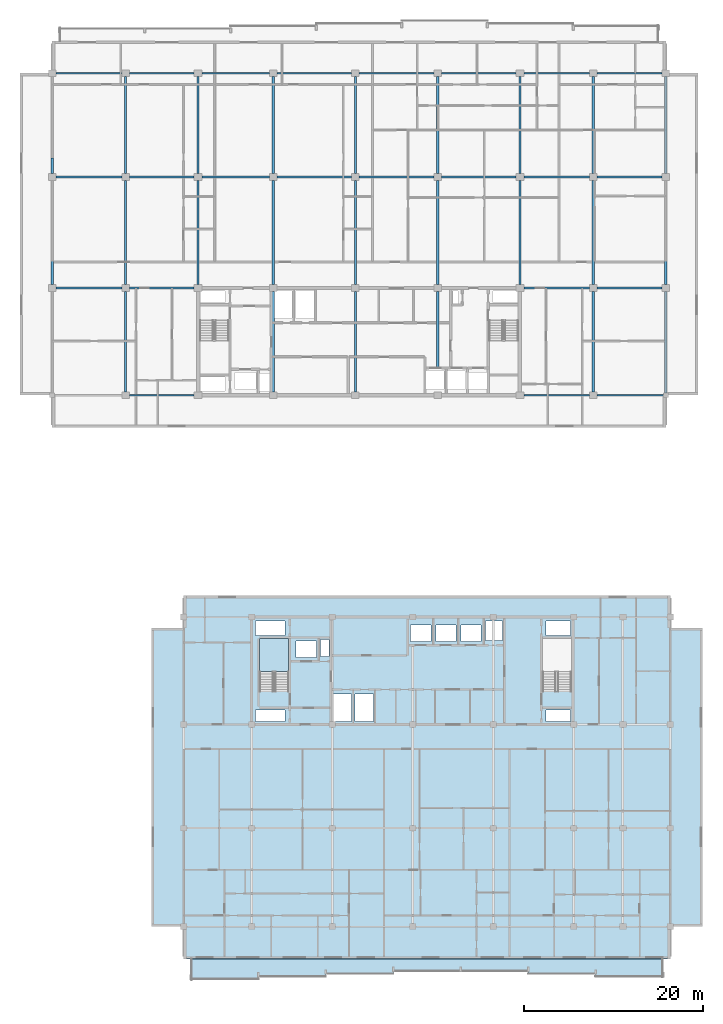
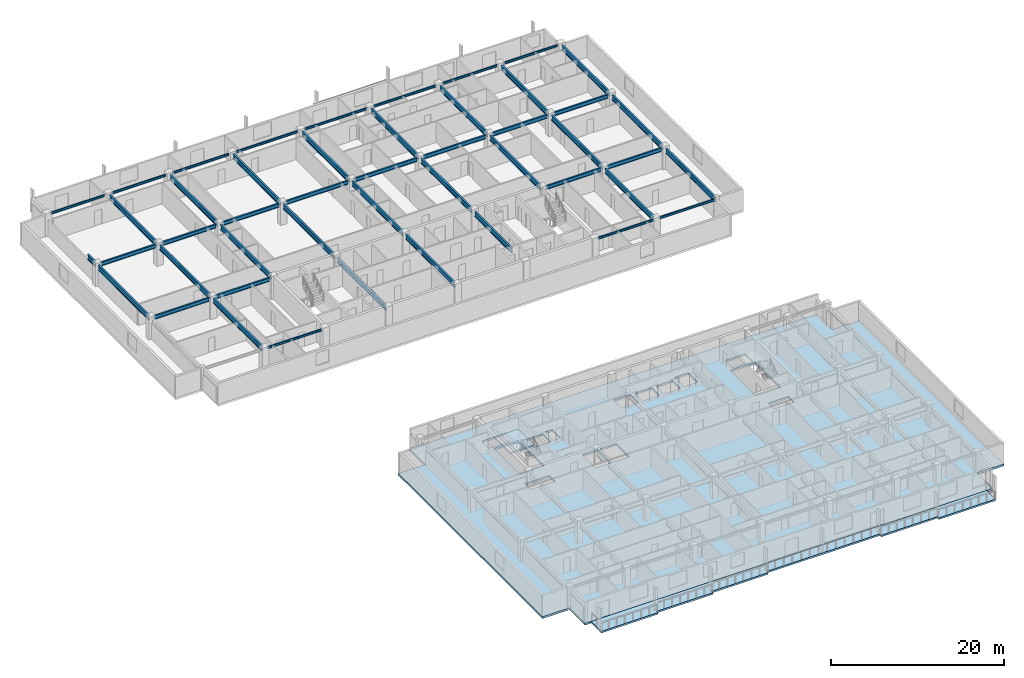
# One storey, part 2 of 22: 47 beams, 3 slabs, 1 element without a shape of its own.
"""IFC4 building model written with IfcOpenShell, lengths in metres."""

from ifc_helpers import new_model, si_unit, direction, frame, origin, origin_2d, place, context, subcontext, project, spatial, polyline, i_section, outline, extrude, material, layer, layer_set, material_profile, profile_set, type_object, element, aggregate, save


model = new_model("IFC4")

# Units and contexts
model_context = context("Model", 3, precision=1e-05, world=origin(), true_north=direction((0.0, 1.0)))
body_context = subcontext(model_context, "Body", "Model", "MODEL_VIEW")
ifc_project = project(units=[si_unit("LENGTHUNIT", "METRE"), si_unit("AREAUNIT", "SQUARE_METRE"), si_unit("VOLUMEUNIT", "CUBIC_METRE"), si_unit("PLANEANGLEUNIT", "RADIAN"), si_unit("MASSUNIT", "GRAM", prefix="KILO")], contexts=[model_context])

# Site, building, storey
site_placement = place(None, origin())
site = spatial("IfcSite", under=ifc_project, at=site_placement, CompositionType="ELEMENT")
building_placement = place(site_placement, origin())
building = spatial("IfcBuilding", under=site, at=building_placement, Name="Korimba Cascade Residences", CompositionType="ELEMENT")
storey_placement = place(building_placement, frame((0.0, 0.0, 197.85009765625)))
storey = spatial("IfcBuildingStorey", under=building, at=storey_placement, Name="L57", CompositionType="ELEMENT", Elevation=197.85009765625)

# Beams
ifc_material_1 = material(Name="Steel S355", Category="steel")
ifc_material_profile_1 = material_profile(ifc_material_1, i_section(OverallWidth=0.165771484375, OverallDepth=0.306640625, WebThickness=0.006591796875, FlangeThickness=0.01171875, FilletRadius=0.0087890625, at=origin_2d()), Name="Steel S355")
ifc_profile_set_1 = profile_set([ifc_material_profile_1], Name="Steel S355")
beam_type_1 = type_object("IfcBeamType", Name="BM-STL-UB305", PredefinedType="SPANDREL", material=ifc_profile_set_1)
beam_1_placement = place(storey_placement, frame((68.425048828125, 55.199951171875, 2.816650390625), z_axis=(1.0, 0.0, 0.0), x_axis=(0.0, 1.0, 0.0)))
element("IfcBeam", 1, at=beam_1_placement, inside=storey, type_object=beam_type_1, Name="L57 T1 E-W Girder Y1 Bay 2", PredefinedType="SPANDREL", context=body_context, shape_type="SweptSolid", body=[
    extrude(i_section(OverallWidth=0.165771484375, OverallDepth=0.306640625, WebThickness=0.006591796875, FlangeThickness=0.01171875, FilletRadius=0.0087890625, at=origin_2d()), origin(), (0.0, 0.0, 1.0), 7.25),
])
beam_2_placement = place(storey_placement, frame((112.52490234375, 55.199951171875, 2.816650390625), z_axis=(1.0, 0.0, 0.0), x_axis=(0.0, 1.0, 0.0)))
element("IfcBeam", 2, at=beam_2_placement, inside=storey, type_object=beam_type_1, Name="L57 T1 E-W Girder Y1 Bay 7", PredefinedType="SPANDREL", context=body_context, shape_type="SweptSolid", body=[
    extrude(i_section(OverallWidth=0.165771484375, OverallDepth=0.306640625, WebThickness=0.006591796875, FlangeThickness=0.01171875, FilletRadius=0.0087890625, at=origin_2d()), origin(), (0.0, 0.0, 1.0), 7.35009765625),
])
beam_3_placement = place(storey_placement, frame((120.72509765625, 55.199951171875, 2.816650390625), z_axis=(1.0, 0.0, 0.0), x_axis=(0.0, 1.0, 0.0)))
element("IfcBeam", 3, at=beam_3_placement, inside=storey, type_object=beam_type_1, Name="L57 T1 E-W Girder Y1 Bay 8", PredefinedType="SPANDREL", context=body_context, shape_type="SweptSolid", body=[
    extrude(i_section(OverallWidth=0.165771484375, OverallDepth=0.306640625, WebThickness=0.006591796875, FlangeThickness=0.01171875, FilletRadius=0.0087890625, at=origin_2d()), origin(), (0.0, 0.0, 1.0), 7.39990234375),
])
beam_4_placement = place(storey_placement, frame((60.22509765625, 91.199951171875, 2.816650390625), z_axis=(1.0, 0.0, 0.0), x_axis=(0.0, 1.0, 0.0)))
element("IfcBeam", 4, at=beam_4_placement, inside=storey, type_object=beam_type_1, Name="L57 T1 E-W Girder Y4 Bay 1", PredefinedType="SPANDREL", context=body_context, shape_type="SweptSolid", body=[
    extrude(i_section(OverallWidth=0.165771484375, OverallDepth=0.306640625, WebThickness=0.006591796875, FlangeThickness=0.01171875, FilletRadius=0.0087890625, at=origin_2d()), origin(), (0.0, 0.0, 1.0), 7.349853515625),
])
beam_5_placement = place(storey_placement, frame((68.425048828125, 91.199951171875, 2.816650390625), z_axis=(1.0, 0.0, 0.0), x_axis=(0.0, 1.0, 0.0)))
element("IfcBeam", 5, at=beam_5_placement, inside=storey, type_object=beam_type_1, Name="L57 T1 E-W Girder Y4 Bay 2", PredefinedType="SPANDREL", context=body_context, shape_type="SweptSolid", body=[
    extrude(i_section(OverallWidth=0.165771484375, OverallDepth=0.306640625, WebThickness=0.006591796875, FlangeThickness=0.01171875, FilletRadius=0.0087890625, at=origin_2d()), origin(), (0.0, 0.0, 1.0), 7.25),
])
beam_6_placement = place(storey_placement, frame((76.52490234375, 91.199951171875, 2.816650390625), z_axis=(1.0, 0.0, 0.0), x_axis=(0.0, 1.0, 0.0)))
element("IfcBeam", 6, at=beam_6_placement, inside=storey, type_object=beam_type_1, Name="L57 T1 E-W Girder Y4 Bay 3", PredefinedType="SPANDREL", context=body_context, shape_type="SweptSolid", body=[
    extrude(i_section(OverallWidth=0.165771484375, OverallDepth=0.306640625, WebThickness=0.006591796875, FlangeThickness=0.01171875, FilletRadius=0.0087890625, at=origin_2d()), origin(), (0.0, 0.0, 1.0), 7.550048828125),
])
beam_7_placement = place(storey_placement, frame((84.925048828125, 91.199951171875, 2.816650390625), z_axis=(1.0, 0.0, 0.0), x_axis=(0.0, 1.0, 0.0)))
element("IfcBeam", 7, at=beam_7_placement, inside=storey, type_object=beam_type_1, Name="L57 T1 E-W Girder Y4 Bay 4", PredefinedType="SPANDREL", context=body_context, shape_type="SweptSolid", body=[
    extrude(i_section(OverallWidth=0.165771484375, OverallDepth=0.306640625, WebThickness=0.006591796875, FlangeThickness=0.01171875, FilletRadius=0.0087890625, at=origin_2d()), origin(), (0.0, 0.0, 1.0), 8.349853515625),
])
for number, where, z_axis, x_axis, name in (
    (8, (94.125, 91.199951171875, 2.816650390625), (1.0, 0.0, 0.0), (0.0, 1.0, 0.0), "L57 T1 E-W Girder Y4 Bay 5"),
    (9, (103.324951171875, 91.199951171875, 2.816650390625), (1.0, 0.0, 0.0), (0.0, 1.0, 0.0), "L57 T1 E-W Girder Y4 Bay 6"),
):
    element("IfcBeam", number, at=place(storey_placement, frame(where, z_axis=z_axis, x_axis=x_axis)), inside=storey, type_object=beam_type_1, Name=name, PredefinedType="SPANDREL", context=body_context, shape_type="SweptSolid", body=[
        extrude(i_section(OverallWidth=0.165771484375, OverallDepth=0.306640625, WebThickness=0.006591796875, FlangeThickness=0.01171875, FilletRadius=0.0087890625, at=origin_2d()), origin(), (0.0, 0.0, 1.0), 8.35009765625),
    ])
beam_8_placement = place(storey_placement, frame((112.52490234375, 91.199951171875, 2.816650390625), z_axis=(1.0, 0.0, 0.0), x_axis=(0.0, 1.0, 0.0)))
element("IfcBeam", 10, at=beam_8_placement, inside=storey, type_object=beam_type_1, Name="L57 T1 E-W Girder Y4 Bay 7", PredefinedType="SPANDREL", context=body_context, shape_type="SweptSolid", body=[
    extrude(i_section(OverallWidth=0.165771484375, OverallDepth=0.306640625, WebThickness=0.006591796875, FlangeThickness=0.01171875, FilletRadius=0.0087890625, at=origin_2d()), origin(), (0.0, 0.0, 1.0), 7.35009765625),
])
beam_9_placement = place(storey_placement, frame((120.72509765625, 91.199951171875, 2.816650390625), z_axis=(1.0, 0.0, 0.0), x_axis=(0.0, 1.0, 0.0)))
element("IfcBeam", 11, at=beam_9_placement, inside=storey, type_object=beam_type_1, Name="L57 T1 E-W Girder Y4 Bay 8", PredefinedType="SPANDREL", context=body_context, shape_type="SweptSolid", body=[
    extrude(i_section(OverallWidth=0.165771484375, OverallDepth=0.306640625, WebThickness=0.006591796875, FlangeThickness=0.01171875, FilletRadius=0.0087890625, at=origin_2d()), origin(), (0.0, 0.0, 1.0), 7.25),
])
ifc_material_profile_2 = material_profile(ifc_material_1, i_section(OverallWidth=0.2099609375, OverallDepth=0.53662109375, WebThickness=0.0107421875, FlangeThickness=0.017333984375, FilletRadius=0.0126953125, at=origin_2d()), Name="Steel S355")
ifc_profile_set_2 = profile_set([ifc_material_profile_2], Name="Steel S355")
beam_type_2 = type_object("IfcBeamType", Name="BM-STL-UB533", PredefinedType="BEAM", material=ifc_profile_set_2)
beam_10_placement = place(storey_placement, frame((60.22509765625, 67.199951171875, 2.701416015625), z_axis=(1.0, 0.0, 0.0), x_axis=(0.0, 1.0, 0.0)))
element("IfcBeam", 12, at=beam_10_placement, inside=storey, type_object=beam_type_2, Name="L57 T1 E-W Girder Y2 Bay 1", PredefinedType="BEAM", context=body_context, shape_type="SweptSolid", body=[
    extrude(i_section(OverallWidth=0.2099609375, OverallDepth=0.53662109375, WebThickness=0.0107421875, FlangeThickness=0.017333984375, FilletRadius=0.0126953125, at=origin_2d()), origin(), (0.0, 0.0, 1.0), 7.349853515625),
])
beam_11_placement = place(storey_placement, frame((68.425048828125, 67.199951171875, 2.701416015625), z_axis=(1.0, 0.0, 0.0), x_axis=(0.0, 1.0, 0.0)))
element("IfcBeam", 13, at=beam_11_placement, inside=storey, type_object=beam_type_2, Name="L57 T1 E-W Girder Y2 Bay 2", PredefinedType="BEAM", context=body_context, shape_type="SweptSolid", body=[
    extrude(i_section(OverallWidth=0.2099609375, OverallDepth=0.53662109375, WebThickness=0.0107421875, FlangeThickness=0.017333984375, FilletRadius=0.0126953125, at=origin_2d()), origin(), (0.0, 0.0, 1.0), 7.25),
])
beam_12_placement = place(storey_placement, frame((112.52490234375, 67.199951171875, 2.701416015625), z_axis=(1.0, 0.0, 0.0), x_axis=(0.0, 1.0, 0.0)))
element("IfcBeam", 14, at=beam_12_placement, inside=storey, type_object=beam_type_2, Name="L57 T1 E-W Girder Y2 Bay 7", PredefinedType="BEAM", context=body_context, shape_type="SweptSolid", body=[
    extrude(i_section(OverallWidth=0.2099609375, OverallDepth=0.53662109375, WebThickness=0.0107421875, FlangeThickness=0.017333984375, FilletRadius=0.0126953125, at=origin_2d()), origin(), (0.0, 0.0, 1.0), 7.35009765625),
])
beam_13_placement = place(storey_placement, frame((120.72509765625, 67.199951171875, 2.701416015625), z_axis=(1.0, 0.0, 0.0), x_axis=(0.0, 1.0, 0.0)))
element("IfcBeam", 15, at=beam_13_placement, inside=storey, type_object=beam_type_2, Name="L57 T1 E-W Girder Y2 Bay 8", PredefinedType="BEAM", context=body_context, shape_type="SweptSolid", body=[
    extrude(i_section(OverallWidth=0.2099609375, OverallDepth=0.53662109375, WebThickness=0.0107421875, FlangeThickness=0.017333984375, FilletRadius=0.0126953125, at=origin_2d()), origin(), (0.0, 0.0, 1.0), 7.25),
])
beam_14_placement = place(storey_placement, frame((60.22509765625, 79.60009765625, 2.701416015625), z_axis=(1.0, 0.0, 0.0), x_axis=(0.0, 1.0, 0.0)))
element("IfcBeam", 16, at=beam_14_placement, inside=storey, type_object=beam_type_2, Name="L57 T1 E-W Girder Y3 Bay 1", PredefinedType="BEAM", context=body_context, shape_type="SweptSolid", body=[
    extrude(i_section(OverallWidth=0.2099609375, OverallDepth=0.53662109375, WebThickness=0.0107421875, FlangeThickness=0.017333984375, FilletRadius=0.0126953125, at=origin_2d()), origin(), (0.0, 0.0, 1.0), 7.349853515625),
])
beam_15_placement = place(storey_placement, frame((68.425048828125, 79.60009765625, 2.701416015625), z_axis=(1.0, 0.0, 0.0), x_axis=(0.0, 1.0, 0.0)))
element("IfcBeam", 17, at=beam_15_placement, inside=storey, type_object=beam_type_2, Name="L57 T1 E-W Girder Y3 Bay 2", PredefinedType="BEAM", context=body_context, shape_type="SweptSolid", body=[
    extrude(i_section(OverallWidth=0.2099609375, OverallDepth=0.53662109375, WebThickness=0.0107421875, FlangeThickness=0.017333984375, FilletRadius=0.0126953125, at=origin_2d()), origin(), (0.0, 0.0, 1.0), 7.25),
])
beam_16_placement = place(storey_placement, frame((76.52490234375, 79.60009765625, 2.701416015625), z_axis=(1.0, 0.0, 0.0), x_axis=(0.0, 1.0, 0.0)))
element("IfcBeam", 18, at=beam_16_placement, inside=storey, type_object=beam_type_2, Name="L57 T1 E-W Girder Y3 Bay 3", PredefinedType="BEAM", context=body_context, shape_type="SweptSolid", body=[
    extrude(i_section(OverallWidth=0.2099609375, OverallDepth=0.53662109375, WebThickness=0.0107421875, FlangeThickness=0.017333984375, FilletRadius=0.0126953125, at=origin_2d()), origin(), (0.0, 0.0, 1.0), 7.550048828125),
])
beam_17_placement = place(storey_placement, frame((84.925048828125, 79.60009765625, 2.701416015625), z_axis=(1.0, 0.0, 0.0), x_axis=(0.0, 1.0, 0.0)))
element("IfcBeam", 19, at=beam_17_placement, inside=storey, type_object=beam_type_2, Name="L57 T1 E-W Girder Y3 Bay 4", PredefinedType="BEAM", context=body_context, shape_type="SweptSolid", body=[
    extrude(i_section(OverallWidth=0.2099609375, OverallDepth=0.53662109375, WebThickness=0.0107421875, FlangeThickness=0.017333984375, FilletRadius=0.0126953125, at=origin_2d()), origin(), (0.0, 0.0, 1.0), 8.349853515625),
])
for number, where, z_axis, x_axis, name in (
    (20, (94.125, 79.60009765625, 2.701416015625), (1.0, 0.0, 0.0), (0.0, 1.0, 0.0), "L57 T1 E-W Girder Y3 Bay 5"),
    (21, (103.324951171875, 79.60009765625, 2.701416015625), (1.0, 0.0, 0.0), (0.0, 1.0, 0.0), "L57 T1 E-W Girder Y3 Bay 6"),
):
    element("IfcBeam", number, at=place(storey_placement, frame(where, z_axis=z_axis, x_axis=x_axis)), inside=storey, type_object=beam_type_2, Name=name, PredefinedType="BEAM", context=body_context, shape_type="SweptSolid", body=[
        extrude(i_section(OverallWidth=0.2099609375, OverallDepth=0.53662109375, WebThickness=0.0107421875, FlangeThickness=0.017333984375, FilletRadius=0.0126953125, at=origin_2d()), origin(), (0.0, 0.0, 1.0), 8.35009765625),
    ])
beam_18_placement = place(storey_placement, frame((112.52490234375, 79.60009765625, 2.701416015625), z_axis=(1.0, 0.0, 0.0), x_axis=(0.0, 1.0, 0.0)))
element("IfcBeam", 22, at=beam_18_placement, inside=storey, type_object=beam_type_2, Name="L57 T1 E-W Girder Y3 Bay 7", PredefinedType="BEAM", context=body_context, shape_type="SweptSolid", body=[
    extrude(i_section(OverallWidth=0.2099609375, OverallDepth=0.53662109375, WebThickness=0.0107421875, FlangeThickness=0.017333984375, FilletRadius=0.0126953125, at=origin_2d()), origin(), (0.0, 0.0, 1.0), 7.35009765625),
])
beam_19_placement = place(storey_placement, frame((120.72509765625, 79.60009765625, 2.701416015625), z_axis=(1.0, 0.0, 0.0), x_axis=(0.0, 1.0, 0.0)))
element("IfcBeam", 23, at=beam_19_placement, inside=storey, type_object=beam_type_2, Name="L57 T1 E-W Girder Y3 Bay 8", PredefinedType="BEAM", context=body_context, shape_type="SweptSolid", body=[
    extrude(i_section(OverallWidth=0.2099609375, OverallDepth=0.53662109375, WebThickness=0.0107421875, FlangeThickness=0.017333984375, FilletRadius=0.0126953125, at=origin_2d()), origin(), (0.0, 0.0, 1.0), 7.25),
])
ifc_material_profile_3 = material_profile(ifc_material_1, i_section(OverallWidth=0.255859375, OverallDepth=0.69287109375, WebThickness=0.014404296875, FlangeThickness=0.023681640625, FilletRadius=0.01513671875, at=origin_2d()), Name="Steel S355")
ifc_profile_set_3 = profile_set([ifc_material_profile_3], Name="Steel S355")
beam_type_3 = type_object("IfcBeamType", Name="BM-STL-UB686", PredefinedType="BEAM", material=ifc_profile_set_3)
beam_20_placement = place(storey_placement, frame((59.800048828125, 67.574951171875, 2.623291015625), z_axis=(0.0, 1.0, 0.0), x_axis=(-1.0, 0.0, 0.0)))
element("IfcBeam", 24, at=beam_20_placement, inside=storey, type_object=beam_type_3, Name="L57 T1 N-S Girder X1 Seg 2", PredefinedType="BEAM", context=body_context, shape_type="SweptSolid", body=[
    extrude(i_section(OverallWidth=0.255859375, OverallDepth=0.69287109375, WebThickness=0.014404296875, FlangeThickness=0.023681640625, FilletRadius=0.01513671875, at=origin_2d()), origin(), (0.0, 0.0, 1.0), 11.650146484375),
])
beam_21_placement = place(storey_placement, frame((59.800048828125, 79.97509765625, 2.623291015625), z_axis=(0.0, 1.0, 0.0), x_axis=(-1.0, 0.0, 0.0)))
element("IfcBeam", 25, at=beam_21_placement, inside=storey, type_object=beam_type_3, Name="L57 T1 N-S Girder X1 Seg 3", PredefinedType="BEAM", context=body_context, shape_type="SweptSolid", body=[
    extrude(i_section(OverallWidth=0.255859375, OverallDepth=0.69287109375, WebThickness=0.014404296875, FlangeThickness=0.023681640625, FilletRadius=0.01513671875, at=origin_2d()), origin(), (0.0, 0.0, 1.0), 1.724853515625),
])
beam_22_placement = place(storey_placement, frame((68.0, 55.574951171875, 2.623291015625), z_axis=(0.0, 1.0, 0.0), x_axis=(-1.0, 0.0, 0.0)))
element("IfcBeam", 26, at=beam_22_placement, inside=storey, type_object=beam_type_3, Name="L57 T1 N-S Girder X2 Seg 1", PredefinedType="BEAM", context=body_context, shape_type="SweptSolid", body=[
    extrude(i_section(OverallWidth=0.255859375, OverallDepth=0.69287109375, WebThickness=0.014404296875, FlangeThickness=0.023681640625, FilletRadius=0.01513671875, at=origin_2d()), origin(), (0.0, 0.0, 1.0), 11.25),
])
beam_23_placement = place(storey_placement, frame((68.0, 67.574951171875, 2.623291015625), z_axis=(0.0, 1.0, 0.0), x_axis=(-1.0, 0.0, 0.0)))
element("IfcBeam", 27, at=beam_23_placement, inside=storey, type_object=beam_type_3, Name="L57 T1 N-S Girder X2 Seg 2", PredefinedType="BEAM", context=body_context, shape_type="SweptSolid", body=[
    extrude(i_section(OverallWidth=0.255859375, OverallDepth=0.69287109375, WebThickness=0.014404296875, FlangeThickness=0.023681640625, FilletRadius=0.01513671875, at=origin_2d()), origin(), (0.0, 0.0, 1.0), 11.650146484375),
])
beam_24_placement = place(storey_placement, frame((68.0, 79.97509765625, 2.623291015625), z_axis=(0.0, 1.0, 0.0), x_axis=(-1.0, 0.0, 0.0)))
element("IfcBeam", 28, at=beam_24_placement, inside=storey, type_object=beam_type_3, Name="L57 T1 N-S Girder X2 Seg 3", PredefinedType="BEAM", context=body_context, shape_type="SweptSolid", body=[
    extrude(i_section(OverallWidth=0.255859375, OverallDepth=0.69287109375, WebThickness=0.014404296875, FlangeThickness=0.023681640625, FilletRadius=0.01513671875, at=origin_2d()), origin(), (0.0, 0.0, 1.0), 10.849853515625),
])
beam_25_placement = place(storey_placement, frame((76.10009765625, 67.574951171875, 2.623291015625), z_axis=(0.0, 1.0, 0.0), x_axis=(-1.0, 0.0, 0.0)))
element("IfcBeam", 29, at=beam_25_placement, inside=storey, type_object=beam_type_3, Name="L57 T1 N-S Girder X3 Seg 2", PredefinedType="BEAM", context=body_context, shape_type="SweptSolid", body=[
    extrude(i_section(OverallWidth=0.255859375, OverallDepth=0.69287109375, WebThickness=0.014404296875, FlangeThickness=0.023681640625, FilletRadius=0.01513671875, at=origin_2d()), origin(), (0.0, 0.0, 1.0), 11.650146484375),
])
beam_26_placement = place(storey_placement, frame((76.10009765625, 79.97509765625, 2.623291015625), z_axis=(0.0, 1.0, 0.0), x_axis=(-1.0, 0.0, 0.0)))
element("IfcBeam", 30, at=beam_26_placement, inside=storey, type_object=beam_type_3, Name="L57 T1 N-S Girder X3 Seg 3", PredefinedType="BEAM", context=body_context, shape_type="SweptSolid", body=[
    extrude(i_section(OverallWidth=0.255859375, OverallDepth=0.69287109375, WebThickness=0.014404296875, FlangeThickness=0.023681640625, FilletRadius=0.01513671875, at=origin_2d()), origin(), (0.0, 0.0, 1.0), 10.849853515625),
])
beam_27_placement = place(storey_placement, frame((84.5, 55.574951171875, 2.623291015625), z_axis=(0.0, 1.0, 0.0), x_axis=(-1.0, 0.0, 0.0)))
element("IfcBeam", 31, at=beam_27_placement, inside=storey, type_object=beam_type_3, Name="L57 T1 N-S Girder X4 Seg 1", PredefinedType="BEAM", context=body_context, shape_type="SweptSolid", body=[
    extrude(i_section(OverallWidth=0.255859375, OverallDepth=0.69287109375, WebThickness=0.014404296875, FlangeThickness=0.023681640625, FilletRadius=0.01513671875, at=origin_2d()), origin(), (0.0, 0.0, 1.0), 11.25),
])
beam_28_placement = place(storey_placement, frame((84.5, 67.574951171875, 2.623291015625), z_axis=(0.0, 1.0, 0.0), x_axis=(-1.0, 0.0, 0.0)))
element("IfcBeam", 32, at=beam_28_placement, inside=storey, type_object=beam_type_3, Name="L57 T1 N-S Girder X4 Seg 2", PredefinedType="BEAM", context=body_context, shape_type="SweptSolid", body=[
    extrude(i_section(OverallWidth=0.255859375, OverallDepth=0.69287109375, WebThickness=0.014404296875, FlangeThickness=0.023681640625, FilletRadius=0.01513671875, at=origin_2d()), origin(), (0.0, 0.0, 1.0), 11.650146484375),
])
beam_29_placement = place(storey_placement, frame((84.5, 79.97509765625, 2.623291015625), z_axis=(0.0, 1.0, 0.0), x_axis=(-1.0, 0.0, 0.0)))
element("IfcBeam", 33, at=beam_29_placement, inside=storey, type_object=beam_type_3, Name="L57 T1 N-S Girder X4 Seg 3", PredefinedType="BEAM", context=body_context, shape_type="SweptSolid", body=[
    extrude(i_section(OverallWidth=0.255859375, OverallDepth=0.69287109375, WebThickness=0.014404296875, FlangeThickness=0.023681640625, FilletRadius=0.01513671875, at=origin_2d()), origin(), (0.0, 0.0, 1.0), 10.849853515625),
])
beam_30_placement = place(storey_placement, frame((93.699951171875, 55.574951171875, 2.623291015625), z_axis=(0.0, 1.0, 0.0), x_axis=(-1.0, 0.0, 0.0)))
element("IfcBeam", 34, at=beam_30_placement, inside=storey, type_object=beam_type_3, Name="L57 T1 N-S Girder X5 Seg 1", PredefinedType="BEAM", context=body_context, shape_type="SweptSolid", body=[
    extrude(i_section(OverallWidth=0.255859375, OverallDepth=0.69287109375, WebThickness=0.014404296875, FlangeThickness=0.023681640625, FilletRadius=0.01513671875, at=origin_2d()), origin(), (0.0, 0.0, 1.0), 11.25),
])
beam_31_placement = place(storey_placement, frame((93.699951171875, 67.574951171875, 2.623291015625), z_axis=(0.0, 1.0, 0.0), x_axis=(-1.0, 0.0, 0.0)))
element("IfcBeam", 35, at=beam_31_placement, inside=storey, type_object=beam_type_3, Name="L57 T1 N-S Girder X5 Seg 2", PredefinedType="BEAM", context=body_context, shape_type="SweptSolid", body=[
    extrude(i_section(OverallWidth=0.255859375, OverallDepth=0.69287109375, WebThickness=0.014404296875, FlangeThickness=0.023681640625, FilletRadius=0.01513671875, at=origin_2d()), origin(), (0.0, 0.0, 1.0), 11.650146484375),
])
beam_32_placement = place(storey_placement, frame((93.699951171875, 79.97509765625, 2.623291015625), z_axis=(0.0, 1.0, 0.0), x_axis=(-1.0, 0.0, 0.0)))
element("IfcBeam", 36, at=beam_32_placement, inside=storey, type_object=beam_type_3, Name="L57 T1 N-S Girder X5 Seg 3", PredefinedType="BEAM", context=body_context, shape_type="SweptSolid", body=[
    extrude(i_section(OverallWidth=0.255859375, OverallDepth=0.69287109375, WebThickness=0.014404296875, FlangeThickness=0.023681640625, FilletRadius=0.01513671875, at=origin_2d()), origin(), (0.0, 0.0, 1.0), 10.849853515625),
])
beam_33_placement = place(storey_placement, frame((102.89990234375, 58.260009765625, 2.623291015625), z_axis=(0.0, 1.0, 0.0), x_axis=(-1.0, 0.0, 0.0)))
element("IfcBeam", 37, at=beam_33_placement, inside=storey, type_object=beam_type_3, Name="L57 T1 N-S Girder X6 Seg 1", PredefinedType="BEAM", context=body_context, shape_type="SweptSolid", body=[
    extrude(i_section(OverallWidth=0.255859375, OverallDepth=0.69287109375, WebThickness=0.014404296875, FlangeThickness=0.023681640625, FilletRadius=0.01513671875, at=origin_2d()), origin(), (0.0, 0.0, 1.0), 8.56494140625),
])
beam_34_placement = place(storey_placement, frame((102.89990234375, 67.574951171875, 2.623291015625), z_axis=(0.0, 1.0, 0.0), x_axis=(-1.0, 0.0, 0.0)))
element("IfcBeam", 38, at=beam_34_placement, inside=storey, type_object=beam_type_3, Name="L57 T1 N-S Girder X6 Seg 2", PredefinedType="BEAM", context=body_context, shape_type="SweptSolid", body=[
    extrude(i_section(OverallWidth=0.255859375, OverallDepth=0.69287109375, WebThickness=0.014404296875, FlangeThickness=0.023681640625, FilletRadius=0.01513671875, at=origin_2d()), origin(), (0.0, 0.0, 1.0), 11.650146484375),
])
beam_35_placement = place(storey_placement, frame((102.89990234375, 79.97509765625, 2.623291015625), z_axis=(0.0, 1.0, 0.0), x_axis=(-1.0, 0.0, 0.0)))
element("IfcBeam", 39, at=beam_35_placement, inside=storey, type_object=beam_type_3, Name="L57 T1 N-S Girder X6 Seg 3", PredefinedType="BEAM", context=body_context, shape_type="SweptSolid", body=[
    extrude(i_section(OverallWidth=0.255859375, OverallDepth=0.69287109375, WebThickness=0.014404296875, FlangeThickness=0.023681640625, FilletRadius=0.01513671875, at=origin_2d()), origin(), (0.0, 0.0, 1.0), 10.849853515625),
])
beam_36_placement = place(storey_placement, frame((112.10009765625, 67.574951171875, 2.623291015625), z_axis=(0.0, 1.0, 0.0), x_axis=(-1.0, 0.0, 0.0)))
element("IfcBeam", 40, at=beam_36_placement, inside=storey, type_object=beam_type_3, Name="L57 T1 N-S Girder X7 Seg 2", PredefinedType="BEAM", context=body_context, shape_type="SweptSolid", body=[
    extrude(i_section(OverallWidth=0.255859375, OverallDepth=0.69287109375, WebThickness=0.014404296875, FlangeThickness=0.023681640625, FilletRadius=0.01513671875, at=origin_2d()), origin(), (0.0, 0.0, 1.0), 11.650146484375),
])
beam_37_placement = place(storey_placement, frame((112.10009765625, 79.97509765625, 2.623291015625), z_axis=(0.0, 1.0, 0.0), x_axis=(-1.0, 0.0, 0.0)))
element("IfcBeam", 41, at=beam_37_placement, inside=storey, type_object=beam_type_3, Name="L57 T1 N-S Girder X7 Seg 3", PredefinedType="BEAM", context=body_context, shape_type="SweptSolid", body=[
    extrude(i_section(OverallWidth=0.255859375, OverallDepth=0.69287109375, WebThickness=0.014404296875, FlangeThickness=0.023681640625, FilletRadius=0.01513671875, at=origin_2d()), origin(), (0.0, 0.0, 1.0), 10.849853515625),
])
beam_38_placement = place(storey_placement, frame((120.300048828125, 55.574951171875, 2.623291015625), z_axis=(0.0, 1.0, 0.0), x_axis=(-1.0, 0.0, 0.0)))
element("IfcBeam", 42, at=beam_38_placement, inside=storey, type_object=beam_type_3, Name="L57 T1 N-S Girder X8 Seg 1", PredefinedType="BEAM", context=body_context, shape_type="SweptSolid", body=[
    extrude(i_section(OverallWidth=0.255859375, OverallDepth=0.69287109375, WebThickness=0.014404296875, FlangeThickness=0.023681640625, FilletRadius=0.01513671875, at=origin_2d()), origin(), (0.0, 0.0, 1.0), 11.25),
])
beam_39_placement = place(storey_placement, frame((120.300048828125, 67.574951171875, 2.623291015625), z_axis=(0.0, 1.0, 0.0), x_axis=(-1.0, 0.0, 0.0)))
element("IfcBeam", 43, at=beam_39_placement, inside=storey, type_object=beam_type_3, Name="L57 T1 N-S Girder X8 Seg 2", PredefinedType="BEAM", context=body_context, shape_type="SweptSolid", body=[
    extrude(i_section(OverallWidth=0.255859375, OverallDepth=0.69287109375, WebThickness=0.014404296875, FlangeThickness=0.023681640625, FilletRadius=0.01513671875, at=origin_2d()), origin(), (0.0, 0.0, 1.0), 11.650146484375),
])
beam_40_placement = place(storey_placement, frame((120.300048828125, 79.97509765625, 2.623291015625), z_axis=(0.0, 1.0, 0.0), x_axis=(-1.0, 0.0, 0.0)))
element("IfcBeam", 44, at=beam_40_placement, inside=storey, type_object=beam_type_3, Name="L57 T1 N-S Girder X8 Seg 3", PredefinedType="BEAM", context=body_context, shape_type="SweptSolid", body=[
    extrude(i_section(OverallWidth=0.255859375, OverallDepth=0.69287109375, WebThickness=0.014404296875, FlangeThickness=0.023681640625, FilletRadius=0.01513671875, at=origin_2d()), origin(), (0.0, 0.0, 1.0), 10.849853515625),
])
beam_41_placement = place(storey_placement, frame((128.39990234375, 55.425048828125, 2.623291015625), z_axis=(0.0, 1.0, 0.0), x_axis=(-1.0, 0.0, 0.0)))
element("IfcBeam", 45, at=beam_41_placement, inside=storey, type_object=beam_type_3, Name="L57 T1 N-S Girder X9 Seg 1", PredefinedType="BEAM", context=body_context, shape_type="SweptSolid", body=[
    extrude(i_section(OverallWidth=0.255859375, OverallDepth=0.69287109375, WebThickness=0.014404296875, FlangeThickness=0.023681640625, FilletRadius=0.01513671875, at=origin_2d()), origin(), (0.0, 0.0, 1.0), 11.39990234375),
])
beam_42_placement = place(storey_placement, frame((128.39990234375, 67.574951171875, 2.623291015625), z_axis=(0.0, 1.0, 0.0), x_axis=(-1.0, 0.0, 0.0)))
element("IfcBeam", 46, at=beam_42_placement, inside=storey, type_object=beam_type_3, Name="L57 T1 N-S Girder X9 Seg 2", PredefinedType="BEAM", context=body_context, shape_type="SweptSolid", body=[
    extrude(i_section(OverallWidth=0.255859375, OverallDepth=0.69287109375, WebThickness=0.014404296875, FlangeThickness=0.023681640625, FilletRadius=0.01513671875, at=origin_2d()), origin(), (0.0, 0.0, 1.0), 11.650146484375),
])
beam_43_placement = place(storey_placement, frame((128.39990234375, 79.97509765625, 2.623291015625), z_axis=(0.0, 1.0, 0.0), x_axis=(-1.0, 0.0, 0.0)))
element("IfcBeam", 47, at=beam_43_placement, inside=storey, type_object=beam_type_3, Name="L57 T1 N-S Girder X9 Seg 3", PredefinedType="BEAM", context=body_context, shape_type="SweptSolid", body=[
    extrude(i_section(OverallWidth=0.255859375, OverallDepth=0.69287109375, WebThickness=0.014404296875, FlangeThickness=0.023681640625, FilletRadius=0.01513671875, at=origin_2d()), origin(), (0.0, 0.0, 1.0), 10.849853515625),
])

# Stair, slab
ifc_material_2 = material(Name="Concrete C50/60", Category="concrete")
stair_type = type_object("IfcStairType", Name="STR-E1-18R-1806", PredefinedType="HALF_TURN_STAIR", material=ifc_material_2)
stair_placement = place(storey_placement, origin())
stair = element("IfcStair", 48, at=stair_placement, inside=storey, type_object=stair_type, Name="L57 Tower 2 West Fire Stair ST-E1", PredefinedType="HALF_TURN_STAIR")
ifc_layer_1 = layer(ifc_material_2, 0.199951171875)
ifc_layer_set_1 = layer_set([ifc_layer_1], Name="Concrete C50/60")
slab_type_1 = type_object("IfcSlabType", Name="SLB-LND-220", PredefinedType="LANDING", material=ifc_layer_set_1)
slab_1_placement = place(storey_placement, frame((0.0, 0.0, 1.4248046875)))
slab_1 = element("IfcSlab", 49, at=slab_1_placement, type_object=slab_type_1, Name="ST-E1 landing 1", PredefinedType="LANDING", context=body_context, shape_type="SweptSolid", body=[
    extrude(outline(polyline([(86.239990234375, 24.2900390625), (86.239990234375, 28.0), (83.0, 28.0), (83.0, 24.2900390625), (86.239990234375, 24.2900390625)])), origin(), (0.0, 0.0, 1.0), 0.2001953125),
])
aggregate(stair, [slab_1])

# Slabs
ifc_material_3 = material(Name="Precast concrete C40/50", Category="concrete")
ifc_layer_2 = layer(ifc_material_3, 0.239990234375)
ifc_layer_set_2 = layer_set([ifc_layer_2], Name="Precast concrete C40/50")
slab_type_2 = type_object("IfcSlabType", Name="SLB-LOG-240", PredefinedType="FLOOR", material=ifc_layer_set_2)
slab_2_placement = place(storey_placement, frame((0.0, 0.0, -0.239990234375)))
element("IfcSlab", 50, at=slab_2_placement, inside=storey, type_object=slab_type_2, Name="L57 Tower 2 South Loggia Slab", PredefinedType="FLOOR", context=body_context, shape_type="SweptSolid", body=[
    extrude(outline(polyline([(75.300048828125, -10.14990234375), (82.843017578125, -10.14990234375), (82.843017578125, -9.85009765625), (90.3857421875, -9.85009765625), (90.3857421875, -9.550048828125), (97.9287109375, -9.550048828125), (97.9287109375, -9.25), (113.014404296875, -9.25), (113.014404296875, -9.550048828125), (120.55712890625, -9.550048828125), (120.55712890625, -9.85009765625), (128.10009765625, -9.85009765625), (128.10009765625, -7.800048828125), (75.300048828125, -7.800048828125), (75.300048828125, -10.14990234375)])), origin(), (0.0, 0.0, 1.0), 0.239990234375),
])
ifc_layer_3 = layer(ifc_material_2, 0.280029296875)
ifc_layer_set_3 = layer_set([ifc_layer_3], Name="Concrete C50/60")
slab_type_3 = type_object("IfcSlabType", Name="SLB-TYP-280", PredefinedType="FLOOR", material=ifc_layer_set_3)
slab_3_placement = place(storey_placement, frame((0.0, 0.0, -0.280029296875)))
element("IfcSlab", 51, at=slab_3_placement, inside=storey, type_object=slab_type_3, Name="L57 Tower 2 Floor Slab", PredefinedType="FLOOR", context=body_context, shape_type="SweptSolid", body=[
    extrude(outline(polyline([(74.5, -7.800048828125), (128.89990234375, -7.800048828125), (128.89990234375, -4.199951171875), (132.5, -4.199951171875), (132.5, 29.199951171875), (128.89990234375, 29.199951171875), (128.89990234375, 32.800048828125), (74.5, 32.800048828125), (74.5, 29.199951171875), (70.89990234375, 29.199951171875), (70.89990234375, -4.199951171875), (74.5, -4.199951171875), (74.5, -7.800048828125)]), holes=[polyline([(86.239990234375, 22.0849609375), (86.239990234375, 28.0), (83.0, 28.0), (83.0, 22.0849609375), (86.239990234375, 22.0849609375)]), polyline([(117.840087890625, 22.0849609375), (117.840087890625, 28.0), (114.60009765625, 28.0), (114.60009765625, 22.0849609375), (117.840087890625, 22.0849609375)]), polyline([(87.030029296875, 25.8798828125), (89.3701171875, 25.8798828125), (89.3701171875, 27.719970703125), (87.030029296875, 27.719970703125), (87.030029296875, 25.8798828125)]), polyline([(99.8798828125, 27.679931640625), (102.1201171875, 27.679931640625), (102.1201171875, 29.52001953125), (99.8798828125, 29.52001953125), (99.8798828125, 27.679931640625)]), polyline([(102.679931640625, 27.679931640625), (104.919921875, 27.679931640625), (104.919921875, 29.52001953125), (102.679931640625, 29.52001953125), (102.679931640625, 27.679931640625)]), polyline([(105.47998046875, 27.679931640625), (107.719970703125, 27.679931640625), (107.719970703125, 29.52001953125), (105.47998046875, 29.52001953125), (105.47998046875, 27.679931640625)]), polyline([(89.780029296875, 25.97998046875), (90.719970703125, 25.97998046875), (90.719970703125, 27.919921875), (89.780029296875, 27.919921875), (89.780029296875, 25.97998046875)]), polyline([(82.530029296875, 18.72998046875), (85.800048828125, 18.72998046875), (85.800048828125, 20.0400390625), (82.530029296875, 20.0400390625), (82.530029296875, 18.72998046875)]), polyline([(82.530029296875, 28.360107421875), (85.800048828125, 28.360107421875), (85.800048828125, 29.969970703125), (82.530029296875, 29.969970703125), (82.530029296875, 28.360107421875)]), polyline([(108.22998046875, 27.780029296875), (110.1201171875, 27.780029296875), (110.1201171875, 29.969970703125), (108.22998046875, 29.969970703125), (108.22998046875, 27.780029296875)]), polyline([(91.22998046875, 18.72998046875), (93.27001953125, 18.72998046875), (93.27001953125, 21.780029296875), (91.22998046875, 21.780029296875), (91.22998046875, 18.72998046875)]), polyline([(93.6298828125, 18.72998046875), (95.719970703125, 18.72998046875), (95.719970703125, 21.780029296875), (93.6298828125, 21.780029296875), (93.6298828125, 18.72998046875)]), polyline([(115.02001953125, 18.72998046875), (117.739990234375, 18.72998046875), (117.739990234375, 20.0400390625), (115.02001953125, 20.0400390625), (115.02001953125, 18.72998046875)]), polyline([(115.02001953125, 28.360107421875), (117.739990234375, 28.360107421875), (117.739990234375, 29.969970703125), (115.02001953125, 29.969970703125), (115.02001953125, 28.360107421875)])]), origin(), (0.0, 0.0, 1.0), 0.280029296875),
])

save(model, "model.ifc")
